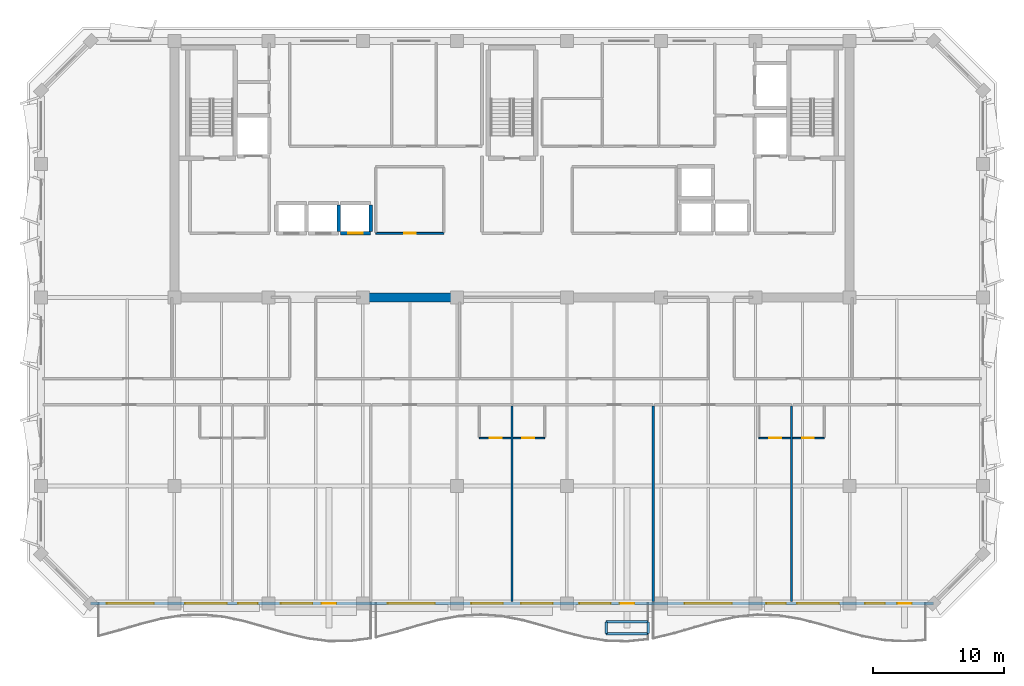
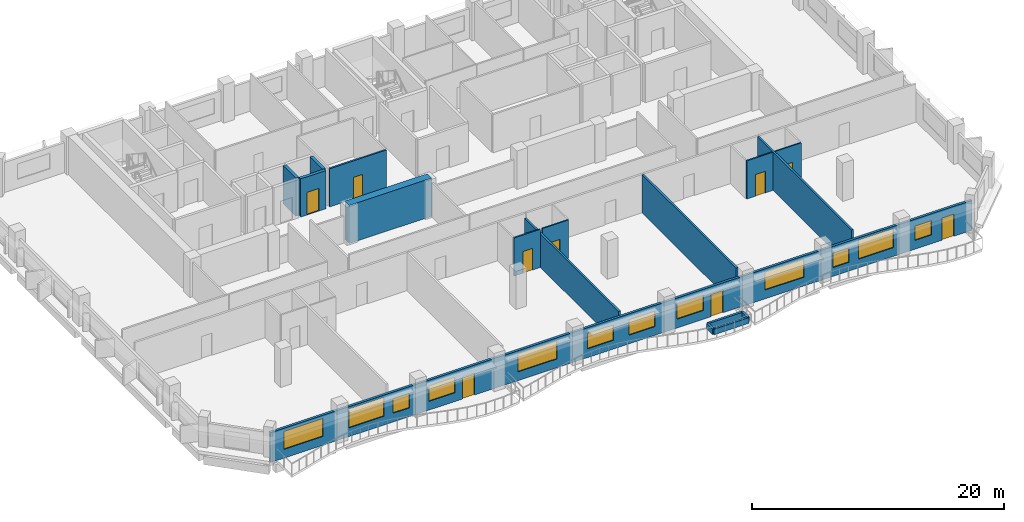
# One storey, part 4 of 11: 17 walls, 12 windows, 9 doors, 21 openings.
"""IFC4 building model written with IfcOpenShell, lengths in metres."""

from ifc_helpers import new_model, si_unit, direction, frame, frame_2d, origin, place, context, subcontext, project, spatial, rectangle, extrude, material, layer, layer_set, type_object, element, fill, save


model = new_model("IFC4")

# Units and contexts
model_context = context("Model", 3, precision=1e-05, world=origin(), true_north=direction((0.0, 1.0)))
body_context = subcontext(model_context, "Body", "Model", "MODEL_VIEW")
ifc_project = project(units=[si_unit("LENGTHUNIT", "METRE"), si_unit("AREAUNIT", "SQUARE_METRE"), si_unit("VOLUMEUNIT", "CUBIC_METRE"), si_unit("PLANEANGLEUNIT", "RADIAN"), si_unit("MASSUNIT", "GRAM", prefix="KILO")], contexts=[model_context])

# Site, building, storey
site_placement = place(None, origin())
site = spatial("IfcSite", under=ifc_project, at=site_placement, CompositionType="ELEMENT")
building_placement = place(site_placement, origin())
building = spatial("IfcBuilding", under=site, at=building_placement, Name="Kaelvorn Grand Hotel", CompositionType="ELEMENT")
storey_placement = place(building_placement, frame((0.0, 0.0, 256.800048828125)))
storey = spatial("IfcBuildingStorey", under=building, at=storey_placement, Name="L63", CompositionType="ELEMENT", Elevation=256.800048828125)

# Wall
ifc_material_1 = material(Name="Concrete C50/60", Category="concrete")
ifc_layer_1 = layer(ifc_material_1, 0.699951171875)
ifc_layer_set_1 = layer_set([ifc_layer_1], Name="Concrete C50/60")
wall_type_1 = type_object("IfcWallType", Name="WL-CORE-700-C50", PredefinedType="SHEAR", material=ifc_layer_set_1)
wall_1_placement = place(storey_placement, frame((30.39990234375, 29.39990234375, 0.0), z_axis=(0.0, 0.0, 1.0), x_axis=(1.0, 0.0, 0.0)))
element("IfcWall", 1, at=wall_1_placement, inside=storey, type_object=wall_type_1, Name="L63 Rear-Core Coupled Shear Pier S2", PredefinedType="SHEAR", context=body_context, shape_type="SweptSolid", body=[
    extrude(rectangle(XDim=7.60009765625, YDim=0.699951171875, at=frame_2d((3.800048828125, 0.0))), origin(), (0.0, 0.0, 1.0), 3.7099609375),
])

# Wall, openings, doors, windows
ifc_material_2 = material(Name="Concrete C40/50", Category="concrete")
ifc_layer_2 = layer(ifc_material_2, 0.219970703125)
ifc_layer_set_2 = layer_set([ifc_layer_2], Name="Concrete C40/50")
wall_type_2 = type_object("IfcWallType", Name="WL-EXT-220-C40", PredefinedType="SOLIDWALL", material=ifc_layer_set_2)
wall_2_placement = place(storey_placement, frame((9.800048828125, 6.0, 0.0), z_axis=(0.0, 0.0, 1.0), x_axis=(1.0, 0.0, 0.0)))
wall_2 = element("IfcWall", 2, at=wall_2_placement, inside=storey, type_object=wall_type_2, Name="L63 Exterior Architectural Concrete Wall 01", PredefinedType="SOLIDWALL", context=body_context, shape_type="SweptSolid", body=[
    extrude(rectangle(XDim=64.39990234375, YDim=0.219970703125, at=frame_2d((32.199951171875, 0.0))), origin(), (0.0, 0.0, 1.0), 2.909912109375),
])
opening_1_placement = place(wall_2_placement, frame((17.64990234375, 0.0, 0.0)))
opening_1 = element("IfcOpeningElement", 3, at=opening_1_placement, cuts=wall_2, Name="Opening DE2", PredefinedType="OPENING", context=body_context, shape_type="SweptSolid", body=[
    extrude(rectangle(XDim=1.10009765625, YDim=2.14990234375, at=frame_2d((0.550048828125, 1.074951171875))), frame((0.0, 0.1201171875, 0.0), z_axis=(0.0, -1.0, 0.0), x_axis=(1.0, 0.0, 0.0)), (0.0, 0.0, 1.0), 0.239990234375),
])
opening_2_placement = place(wall_2_placement, frame((40.449951171875, 0.0, 0.0)))
opening_2 = element("IfcOpeningElement", 4, at=opening_2_placement, cuts=wall_2, Name="Opening DE2", PredefinedType="OPENING", context=body_context, shape_type="SweptSolid", body=[
    extrude(rectangle(XDim=1.10009765625, YDim=2.14990234375, at=frame_2d((0.550048828125, 1.074951171875))), frame((0.0, 0.1201171875, 0.0), z_axis=(0.0, -1.0, 0.0), x_axis=(1.0, 0.0, 0.0)), (0.0, 0.0, 1.0), 0.239990234375),
])
opening_3_placement = place(wall_2_placement, frame((61.64990234375, 0.0, 0.0)))
opening_3 = element("IfcOpeningElement", 5, at=opening_3_placement, cuts=wall_2, Name="Opening DE2", PredefinedType="OPENING", context=body_context, shape_type="SweptSolid", body=[
    extrude(rectangle(XDim=1.10009765625, YDim=2.14990234375, at=frame_2d((0.550048828125, 1.074951171875))), frame((0.0, 0.1201171875, 0.0), z_axis=(0.0, -1.0, 0.0), x_axis=(1.0, 0.0, 0.0)), (0.0, 0.0, 1.0), 0.239990234375),
])
opening_4_placement = place(wall_2_placement, frame((1.235107421875, 0.0, 0.85009765625)))
opening_4 = element("IfcOpeningElement", 6, at=opening_4_placement, cuts=wall_2, Name="Opening W3", PredefinedType="OPENING", context=body_context, shape_type="SweptSolid", body=[
    extrude(rectangle(XDim=3.60009765625, YDim=1.75, at=frame_2d((1.800048828125, 0.875))), frame((0.0, 0.1201171875, 0.0), z_axis=(0.0, -1.0, 0.0), x_axis=(1.0, 0.0, 0.0)), (0.0, 0.0, 1.0), 0.239990234375),
])
opening_5_placement = place(wall_2_placement, frame((7.216552734375, 0.0, 0.85009765625)))
opening_5 = element("IfcOpeningElement", 7, at=opening_5_placement, cuts=wall_2, Name="Opening W4", PredefinedType="OPENING", context=body_context, shape_type="SweptSolid", body=[
    extrude(rectangle(XDim=3.199951171875, YDim=1.85009765625, at=frame_2d((1.60009765625, 0.925048828125))), frame((0.0, 0.1201171875, 0.0), z_axis=(0.0, -1.0, 0.0), x_axis=(1.0, 0.0, 0.0)), (0.0, 0.0, 1.0), 0.239990234375),
])
opening_6_placement = place(wall_2_placement, frame((11.2666015625, 0.0, 0.85009765625)))
opening_6 = element("IfcOpeningElement", 8, at=opening_6_placement, cuts=wall_2, Name="Opening W10", PredefinedType="OPENING", context=body_context, shape_type="SweptSolid", body=[
    extrude(rectangle(XDim=1.5, YDim=1.39990234375, at=frame_2d((0.75, 0.699951171875))), frame((0.0, 0.1201171875, 0.0), z_axis=(0.0, -1.0, 0.0), x_axis=(1.0, 0.0, 0.0)), (0.0, 0.0, 1.0), 0.239990234375),
])
opening_7_placement = place(wall_2_placement, frame((14.5400390625, 0.0, 0.85009765625)))
opening_7 = element("IfcOpeningElement", 9, at=opening_7_placement, cuts=wall_2, Name="Opening W6", PredefinedType="OPENING", context=body_context, shape_type="SweptSolid", body=[
    extrude(rectangle(XDim=2.39990234375, YDim=1.5, at=frame_2d((1.199951171875, 0.75))), frame((0.0, 0.1201171875, 0.0), z_axis=(0.0, -1.0, 0.0), x_axis=(1.0, 0.0, 0.0)), (0.0, 0.0, 1.0), 0.239990234375),
])
opening_8_placement = place(wall_2_placement, frame((22.70849609375, 0.0, 0.85009765625)))
opening_8 = element("IfcOpeningElement", 10, at=opening_8_placement, cuts=wall_2, Name="Opening W3", PredefinedType="OPENING", context=body_context, shape_type="SweptSolid", body=[
    extrude(rectangle(XDim=3.60009765625, YDim=1.75, at=frame_2d((1.800048828125, 0.875))), frame((0.0, 0.1201171875, 0.0), z_axis=(0.0, -1.0, 0.0), x_axis=(1.0, 0.0, 0.0)), (0.0, 0.0, 1.0), 0.239990234375),
])
opening_9_placement = place(wall_2_placement, frame((29.10009765625, 0.0, 0.85009765625)))
opening_9 = element("IfcOpeningElement", 11, at=opening_9_placement, cuts=wall_2, Name="Opening W6", PredefinedType="OPENING", context=body_context, shape_type="SweptSolid", body=[
    extrude(rectangle(XDim=2.39990234375, YDim=1.5, at=frame_2d((1.199951171875, 0.75))), frame((0.0, 0.1201171875, 0.0), z_axis=(0.0, -1.0, 0.0), x_axis=(1.0, 0.0, 0.0)), (0.0, 0.0, 1.0), 0.239990234375),
])
opening_10_placement = place(wall_2_placement, frame((32.89990234375, 0.0, 0.85009765625)))
opening_10 = element("IfcOpeningElement", 12, at=opening_10_placement, cuts=wall_2, Name="Opening W6", PredefinedType="OPENING", context=body_context, shape_type="SweptSolid", body=[
    extrude(rectangle(XDim=2.39990234375, YDim=1.5, at=frame_2d((1.199951171875, 0.75))), frame((0.0, 0.1201171875, 0.0), z_axis=(0.0, -1.0, 0.0), x_axis=(1.0, 0.0, 0.0)), (0.0, 0.0, 1.0), 0.239990234375),
])
opening_11_placement = place(wall_2_placement, frame((37.340087890625, 0.0, 0.85009765625)))
opening_11 = element("IfcOpeningElement", 13, at=opening_11_placement, cuts=wall_2, Name="Opening W6", PredefinedType="OPENING", context=body_context, shape_type="SweptSolid", body=[
    extrude(rectangle(XDim=2.39990234375, YDim=1.5, at=frame_2d((1.199951171875, 0.75))), frame((0.0, 0.1201171875, 0.0), z_axis=(0.0, -1.0, 0.0), x_axis=(1.0, 0.0, 0.0)), (0.0, 0.0, 1.0), 0.239990234375),
])
opening_12_placement = place(wall_2_placement, frame((45.39990234375, 0.0, 0.85009765625)))
opening_12 = element("IfcOpeningElement", 14, at=opening_12_placement, cuts=wall_2, Name="Opening W3", PredefinedType="OPENING", context=body_context, shape_type="SweptSolid", body=[
    extrude(rectangle(XDim=3.60009765625, YDim=1.75, at=frame_2d((1.800048828125, 0.875))), frame((0.0, 0.1201171875, 0.0), z_axis=(0.0, -1.0, 0.0), x_axis=(1.0, 0.0, 0.0)), (0.0, 0.0, 1.0), 0.239990234375),
])
opening_13_placement = place(wall_2_placement, frame((51.633544921875, 0.0, 0.85009765625)))
opening_13 = element("IfcOpeningElement", 15, at=opening_13_placement, cuts=wall_2, Name="Opening W10", PredefinedType="OPENING", context=body_context, shape_type="SweptSolid", body=[
    extrude(rectangle(XDim=1.5, YDim=1.39990234375, at=frame_2d((0.75, 0.699951171875))), frame((0.0, 0.1201171875, 0.0), z_axis=(0.0, -1.0, 0.0), x_axis=(1.0, 0.0, 0.0)), (0.0, 0.0, 1.0), 0.239990234375),
])
opening_14_placement = place(wall_2_placement, frame((53.9833984375, 0.0, 0.85009765625)))
opening_14 = element("IfcOpeningElement", 16, at=opening_14_placement, cuts=wall_2, Name="Opening W4", PredefinedType="OPENING", context=body_context, shape_type="SweptSolid", body=[
    extrude(rectangle(XDim=3.199951171875, YDim=1.85009765625, at=frame_2d((1.60009765625, 0.925048828125))), frame((0.0, 0.1201171875, 0.0), z_axis=(0.0, -1.0, 0.0), x_axis=(1.0, 0.0, 0.0)), (0.0, 0.0, 1.0), 0.239990234375),
])
opening_15_placement = place(wall_2_placement, frame((59.18994140625, 0.0, 0.85009765625)))
opening_15 = element("IfcOpeningElement", 17, at=opening_15_placement, cuts=wall_2, Name="Opening W10", PredefinedType="OPENING", context=body_context, shape_type="SweptSolid", body=[
    extrude(rectangle(XDim=1.5, YDim=1.39990234375, at=frame_2d((0.75, 0.699951171875))), frame((0.0, 0.1201171875, 0.0), z_axis=(0.0, -1.0, 0.0), x_axis=(1.0, 0.0, 0.0)), (0.0, 0.0, 1.0), 0.239990234375),
])
ifc_material_3 = material(Name="Anodised Aluminium", Category="aluminium")
door_type_1 = type_object("IfcDoorType", Name="DR-EXT-BALC-1100x2150", OperationType="NOTDEFINED", PredefinedType="DOOR", material=ifc_material_3)
door_1_placement = place(opening_1_placement, origin())
door_1 = element("IfcDoor", 18, at=door_1_placement, inside=storey, type_object=door_type_1, Name="L63 Scalloped Balcony Glazed Door DE2-1", OperationType="SINGLE_SWING_RIGHT", OverallHeight=2.14990234375, OverallWidth=1.10009765625, PredefinedType="DOOR", context=body_context, shape_type="SweptSolid", body=[
    extrude(rectangle(XDim=1.10009765625, YDim=2.14990234375, at=frame_2d((0.550048828125, 1.074951171875))), frame((0.0, 0.02490234375, 0.0), z_axis=(0.0, -1.0, 0.0), x_axis=(1.0, 0.0, 0.0)), (0.0, 0.0, 1.0), 0.050048828125),
])
fill(opening_1, door_1)
door_2_placement = place(opening_2_placement, origin())
door_2 = element("IfcDoor", 19, at=door_2_placement, inside=storey, type_object=door_type_1, Name="L63 Scalloped Balcony Glazed Door DE2-2", OperationType="SINGLE_SWING_LEFT", OverallHeight=2.14990234375, OverallWidth=1.10009765625, PredefinedType="DOOR", context=body_context, shape_type="SweptSolid", body=[
    extrude(rectangle(XDim=1.10009765625, YDim=2.14990234375, at=frame_2d((0.550048828125, 1.074951171875))), frame((0.0, 0.02490234375, 0.0), z_axis=(0.0, -1.0, 0.0), x_axis=(1.0, 0.0, 0.0)), (0.0, 0.0, 1.0), 0.050048828125),
])
fill(opening_2, door_2)
door_3_placement = place(opening_3_placement, origin())
door_3 = element("IfcDoor", 20, at=door_3_placement, inside=storey, type_object=door_type_1, Name="L63 Scalloped Balcony Glazed Door DE2-3", OperationType="SINGLE_SWING_RIGHT", OverallHeight=2.14990234375, OverallWidth=1.10009765625, PredefinedType="DOOR", context=body_context, shape_type="SweptSolid", body=[
    extrude(rectangle(XDim=1.10009765625, YDim=2.14990234375, at=frame_2d((0.550048828125, 1.074951171875))), frame((0.0, 0.02490234375, 0.0), z_axis=(0.0, -1.0, 0.0), x_axis=(1.0, 0.0, 0.0)), (0.0, 0.0, 1.0), 0.050048828125),
])
fill(opening_3, door_3)
ifc_material_4 = material(Name="Laminated Low-E Glass", Category="glass")
window_type_1 = type_object("IfcWindowType", Name="WIN-COR-1500x1400", PartitioningType="SINGLE_PANEL", PredefinedType="WINDOW", material=ifc_material_4)
window_1_placement = place(opening_6_placement, origin())
window_1 = element("IfcWindow", 21, at=window_1_placement, inside=storey, type_object=window_type_1, Name="L63 South Guestroom Ribbon Window SR03", OverallHeight=1.39990234375, OverallWidth=1.5, PartitioningType="SINGLE_PANEL", PredefinedType="WINDOW", context=body_context, shape_type="SweptSolid", body=[
    extrude(rectangle(XDim=1.5, YDim=1.39990234375, at=frame_2d((0.75, 0.699951171875))), frame((0.0, 0.030029296875, 0.0), z_axis=(0.0, -1.0, 0.0), x_axis=(1.0, 0.0, 0.0)), (0.0, 0.0, 1.0), 0.06005859375),
])
fill(opening_6, window_1)
window_2_placement = place(opening_13_placement, origin())
window_2 = element("IfcWindow", 22, at=window_2_placement, inside=storey, type_object=window_type_1, Name="L63 South Guestroom Ribbon Window SR10", OverallHeight=1.39990234375, OverallWidth=1.5, PartitioningType="SINGLE_PANEL", PredefinedType="WINDOW", context=body_context, shape_type="SweptSolid", body=[
    extrude(rectangle(XDim=1.5, YDim=1.39990234375, at=frame_2d((0.75, 0.699951171875))), frame((0.0, 0.030029296875, 0.0), z_axis=(0.0, -1.0, 0.0), x_axis=(1.0, 0.0, 0.0)), (0.0, 0.0, 1.0), 0.06005859375),
])
fill(opening_13, window_2)
window_3_placement = place(opening_15_placement, origin())
window_3 = element("IfcWindow", 23, at=window_3_placement, inside=storey, type_object=window_type_1, Name="L63 South Guestroom Ribbon Window SR12", OverallHeight=1.39990234375, OverallWidth=1.5, PartitioningType="SINGLE_PANEL", PredefinedType="WINDOW", context=body_context, shape_type="SweptSolid", body=[
    extrude(rectangle(XDim=1.5, YDim=1.39990234375, at=frame_2d((0.75, 0.699951171875))), frame((0.0, 0.030029296875, 0.0), z_axis=(0.0, -1.0, 0.0), x_axis=(1.0, 0.0, 0.0)), (0.0, 0.0, 1.0), 0.06005859375),
])
fill(opening_15, window_3)
window_type_2 = type_object("IfcWindowType", Name="WIN-NTH-2400x1500", PartitioningType="SINGLE_PANEL", PredefinedType="WINDOW", material=ifc_material_4)
window_4_placement = place(opening_7_placement, origin())
window_4 = element("IfcWindow", 24, at=window_4_placement, inside=storey, type_object=window_type_2, Name="L63 South Guestroom Ribbon Window SR04", OverallHeight=1.5, OverallWidth=2.39990234375, PartitioningType="SINGLE_PANEL", PredefinedType="WINDOW", context=body_context, shape_type="SweptSolid", body=[
    extrude(rectangle(XDim=2.39990234375, YDim=1.5, at=frame_2d((1.199951171875, 0.75))), frame((0.0, 0.030029296875, 0.0), z_axis=(0.0, -1.0, 0.0), x_axis=(1.0, 0.0, 0.0)), (0.0, 0.0, 1.0), 0.06005859375),
])
fill(opening_7, window_4)
window_5_placement = place(opening_9_placement, origin())
window_5 = element("IfcWindow", 25, at=window_5_placement, inside=storey, type_object=window_type_2, Name="L63 South Guestroom Ribbon Window SR06", OverallHeight=1.5, OverallWidth=2.39990234375, PartitioningType="SINGLE_PANEL", PredefinedType="WINDOW", context=body_context, shape_type="SweptSolid", body=[
    extrude(rectangle(XDim=2.39990234375, YDim=1.5, at=frame_2d((1.199951171875, 0.75))), frame((0.0, 0.030029296875, 0.0), z_axis=(0.0, -1.0, 0.0), x_axis=(1.0, 0.0, 0.0)), (0.0, 0.0, 1.0), 0.06005859375),
])
fill(opening_9, window_5)
window_6_placement = place(opening_10_placement, origin())
window_6 = element("IfcWindow", 26, at=window_6_placement, inside=storey, type_object=window_type_2, Name="L63 South Guestroom Ribbon Window SR07", OverallHeight=1.5, OverallWidth=2.39990234375, PartitioningType="SINGLE_PANEL", PredefinedType="WINDOW", context=body_context, shape_type="SweptSolid", body=[
    extrude(rectangle(XDim=2.39990234375, YDim=1.5, at=frame_2d((1.199951171875, 0.75))), frame((0.0, 0.030029296875, 0.0), z_axis=(0.0, -1.0, 0.0), x_axis=(1.0, 0.0, 0.0)), (0.0, 0.0, 1.0), 0.06005859375),
])
fill(opening_10, window_6)
window_7_placement = place(opening_11_placement, origin())
window_7 = element("IfcWindow", 27, at=window_7_placement, inside=storey, type_object=window_type_2, Name="L63 South Guestroom Ribbon Window SR08", OverallHeight=1.5, OverallWidth=2.39990234375, PartitioningType="SINGLE_PANEL", PredefinedType="WINDOW", context=body_context, shape_type="SweptSolid", body=[
    extrude(rectangle(XDim=2.39990234375, YDim=1.5, at=frame_2d((1.199951171875, 0.75))), frame((0.0, 0.030029296875, 0.0), z_axis=(0.0, -1.0, 0.0), x_axis=(1.0, 0.0, 0.0)), (0.0, 0.0, 1.0), 0.06005859375),
])
fill(opening_11, window_7)
window_type_3 = type_object("IfcWindowType", Name="WIN-RIB-3200x1850", PartitioningType="SINGLE_PANEL", PredefinedType="WINDOW", material=ifc_material_4)
window_8_placement = place(opening_5_placement, origin())
window_8 = element("IfcWindow", 28, at=window_8_placement, inside=storey, type_object=window_type_3, Name="L63 South Guestroom Ribbon Window SR02", OverallHeight=1.85009765625, OverallWidth=3.199951171875, PartitioningType="SINGLE_PANEL", PredefinedType="WINDOW", context=body_context, shape_type="SweptSolid", body=[
    extrude(rectangle(XDim=3.199951171875, YDim=1.85009765625, at=frame_2d((1.60009765625, 0.925048828125))), frame((0.0, 0.030029296875, 0.0), z_axis=(0.0, -1.0, 0.0), x_axis=(1.0, 0.0, 0.0)), (0.0, 0.0, 1.0), 0.06005859375),
])
fill(opening_5, window_8)
window_9_placement = place(opening_14_placement, origin())
window_9 = element("IfcWindow", 29, at=window_9_placement, inside=storey, type_object=window_type_3, Name="L63 South Guestroom Ribbon Window SR11", OverallHeight=1.85009765625, OverallWidth=3.199951171875, PartitioningType="SINGLE_PANEL", PredefinedType="WINDOW", context=body_context, shape_type="SweptSolid", body=[
    extrude(rectangle(XDim=3.199951171875, YDim=1.85009765625, at=frame_2d((1.60009765625, 0.925048828125))), frame((0.0, 0.030029296875, 0.0), z_axis=(0.0, -1.0, 0.0), x_axis=(1.0, 0.0, 0.0)), (0.0, 0.0, 1.0), 0.06005859375),
])
fill(opening_14, window_9)
window_type_4 = type_object("IfcWindowType", Name="WIN-RIB-3600x1750", PartitioningType="SINGLE_PANEL", PredefinedType="WINDOW", material=ifc_material_4)
window_10_placement = place(opening_4_placement, origin())
window_10 = element("IfcWindow", 30, at=window_10_placement, inside=storey, type_object=window_type_4, Name="L63 South Guestroom Ribbon Window SR01", OverallHeight=1.75, OverallWidth=3.60009765625, PartitioningType="SINGLE_PANEL", PredefinedType="WINDOW", context=body_context, shape_type="SweptSolid", body=[
    extrude(rectangle(XDim=3.60009765625, YDim=1.75, at=frame_2d((1.800048828125, 0.875))), frame((0.0, 0.030029296875, 0.0), z_axis=(0.0, -1.0, 0.0), x_axis=(1.0, 0.0, 0.0)), (0.0, 0.0, 1.0), 0.06005859375),
])
fill(opening_4, window_10)
window_11_placement = place(opening_8_placement, origin())
window_11 = element("IfcWindow", 31, at=window_11_placement, inside=storey, type_object=window_type_4, Name="L63 South Guestroom Ribbon Window SR05", OverallHeight=1.75, OverallWidth=3.60009765625, PartitioningType="SINGLE_PANEL", PredefinedType="WINDOW", context=body_context, shape_type="SweptSolid", body=[
    extrude(rectangle(XDim=3.60009765625, YDim=1.75, at=frame_2d((1.800048828125, 0.875))), frame((0.0, 0.030029296875, 0.0), z_axis=(0.0, -1.0, 0.0), x_axis=(1.0, 0.0, 0.0)), (0.0, 0.0, 1.0), 0.06005859375),
])
fill(opening_8, window_11)
window_12_placement = place(opening_12_placement, origin())
window_12 = element("IfcWindow", 32, at=window_12_placement, inside=storey, type_object=window_type_4, Name="L63 South Guestroom Ribbon Window SR09", OverallHeight=1.75, OverallWidth=3.60009765625, PartitioningType="SINGLE_PANEL", PredefinedType="WINDOW", context=body_context, shape_type="SweptSolid", body=[
    extrude(rectangle(XDim=3.60009765625, YDim=1.75, at=frame_2d((1.800048828125, 0.875))), frame((0.0, 0.030029296875, 0.0), z_axis=(0.0, -1.0, 0.0), x_axis=(1.0, 0.0, 0.0)), (0.0, 0.0, 1.0), 0.06005859375),
])
fill(opening_12, window_12)

# Wall, opening, door
ifc_material_5 = material(Name="Moisture-Resistant Tile & Stud Board")
ifc_layer_3 = layer(ifc_material_5, 0.125)
ifc_layer_set_3 = layer_set([ifc_layer_3], Name="Moisture-Resistant Tile & Stud Board")
wall_type_3 = type_object("IfcWallType", Name="WL-PART-125-WET", PredefinedType="PARTITIONING", material=ifc_layer_set_3)
wall_3_placement = place(storey_placement, frame((39.5, 18.64990234375, 0.0), z_axis=(0.0, 0.0, 1.0), x_axis=(1.0, 0.0, 0.0)))
wall_3 = element("IfcWall", 33, at=wall_3_placement, inside=storey, type_object=wall_type_3, Name="L63 En-suite Bathroom L63-03 S Partition", PredefinedType="PARTITIONING", context=body_context, shape_type="SweptSolid", body=[
    extrude(rectangle(XDim=2.405029296875, YDim=0.125, at=frame_2d((1.20263671875, 0.0))), origin(), (0.0, 0.0, 1.0), 3.7099609375),
])
opening_16_placement = place(wall_3_placement, frame((0.800048828125, 0.0, 0.0)))
opening_16 = element("IfcOpeningElement", 34, at=opening_16_placement, cuts=wall_3, Name="Opening DI4", PredefinedType="OPENING", context=body_context, shape_type="SweptSolid", body=[
    extrude(rectangle(XDim=0.89990234375, YDim=2.10009765625, at=frame_2d((0.449951171875, 1.050048828125))), frame((0.0, 0.072509765625, 0.0), z_axis=(0.0, -1.0, 0.0), x_axis=(1.0, 0.0, 0.0)), (0.0, 0.0, 1.0), 0.14501953125),
])
ifc_material_6 = material(Name="Timber Veneer Leaf", Category="wood")
door_type_2 = type_object("IfcDoorType", Name="DR-INT-BATH-900x2100", OperationType="NOTDEFINED", PredefinedType="DOOR", material=ifc_material_6)
door_4_placement = place(opening_16_placement, origin())
door_4 = element("IfcDoor", 35, at=door_4_placement, inside=storey, type_object=door_type_2, Name="L63 En-suite Bathroom L63-03 Door", OperationType="SINGLE_SWING_LEFT", OverallHeight=2.10009765625, OverallWidth=0.89990234375, PredefinedType="DOOR", context=body_context, shape_type="SweptSolid", body=[
    extrude(rectangle(XDim=0.89990234375, YDim=2.10009765625, at=frame_2d((0.449951171875, 1.050048828125))), frame((0.0, 0.02490234375, 0.0), z_axis=(0.0, -1.0, 0.0), x_axis=(1.0, 0.0, 0.0)), (0.0, 0.0, 1.0), 0.050048828125),
])
fill(opening_16, door_4)

wall_4_placement = place(storey_placement, frame((42.094970703125, 18.64990234375, 0.0), z_axis=(0.0, 0.0, 1.0), x_axis=(1.0, 0.0, 0.0)))
wall_4 = element("IfcWall", 36, at=wall_4_placement, inside=storey, type_object=wall_type_3, Name="L63 En-suite Bathroom L63-04 S Partition", PredefinedType="PARTITIONING", context=body_context, shape_type="SweptSolid", body=[
    extrude(rectangle(XDim=2.405029296875, YDim=0.125, at=frame_2d((1.20263671875, 0.0))), origin(), (0.0, 0.0, 1.0), 3.7099609375),
])
opening_17_placement = place(wall_4_placement, frame((0.705078125, 0.0, 0.0)))
opening_17 = element("IfcOpeningElement", 37, at=opening_17_placement, cuts=wall_4, Name="Opening DI4", PredefinedType="OPENING", context=body_context, shape_type="SweptSolid", body=[
    extrude(rectangle(XDim=0.89990234375, YDim=2.10009765625, at=frame_2d((0.449951171875, 1.050048828125))), frame((0.0, 0.072509765625, 0.0), z_axis=(0.0, -1.0, 0.0), x_axis=(1.0, 0.0, 0.0)), (0.0, 0.0, 1.0), 0.14501953125),
])
door_5_placement = place(opening_17_placement, origin())
door_5 = element("IfcDoor", 38, at=door_5_placement, inside=storey, type_object=door_type_2, Name="L63 En-suite Bathroom L63-04 Door", OperationType="SINGLE_SWING_LEFT", OverallHeight=2.10009765625, OverallWidth=0.89990234375, PredefinedType="DOOR", context=body_context, shape_type="SweptSolid", body=[
    extrude(rectangle(XDim=0.89990234375, YDim=2.10009765625, at=frame_2d((0.449951171875, 1.050048828125))), frame((0.0, 0.02490234375, 0.0), z_axis=(0.0, -1.0, 0.0), x_axis=(1.0, 0.0, 0.0)), (0.0, 0.0, 1.0), 0.050048828125),
])
fill(opening_17, door_5)

wall_5_placement = place(storey_placement, frame((60.86669921875, 18.64990234375, 0.0), z_axis=(0.0, 0.0, 1.0), x_axis=(1.0, 0.0, 0.0)))
wall_5 = element("IfcWall", 39, at=wall_5_placement, inside=storey, type_object=wall_type_3, Name="L63 En-suite Bathroom L63-05 S Partition", PredefinedType="PARTITIONING", context=body_context, shape_type="SweptSolid", body=[
    extrude(rectangle(XDim=2.40478515625, YDim=0.125, at=frame_2d((1.202392578125, 0.0))), origin(), (0.0, 0.0, 1.0), 3.7099609375),
])
opening_18_placement = place(wall_5_placement, frame((0.800048828125, 0.0, 0.0)))
opening_18 = element("IfcOpeningElement", 40, at=opening_18_placement, cuts=wall_5, Name="Opening DI4", PredefinedType="OPENING", context=body_context, shape_type="SweptSolid", body=[
    extrude(rectangle(XDim=0.89990234375, YDim=2.10009765625, at=frame_2d((0.449951171875, 1.050048828125))), frame((0.0, 0.072509765625, 0.0), z_axis=(0.0, -1.0, 0.0), x_axis=(1.0, 0.0, 0.0)), (0.0, 0.0, 1.0), 0.14501953125),
])
door_6_placement = place(opening_18_placement, origin())
door_6 = element("IfcDoor", 41, at=door_6_placement, inside=storey, type_object=door_type_2, Name="L63 En-suite Bathroom L63-05 Door", OperationType="SINGLE_SWING_LEFT", OverallHeight=2.10009765625, OverallWidth=0.89990234375, PredefinedType="DOOR", context=body_context, shape_type="SweptSolid", body=[
    extrude(rectangle(XDim=0.89990234375, YDim=2.10009765625, at=frame_2d((0.449951171875, 1.050048828125))), frame((0.0, 0.02490234375, 0.0), z_axis=(0.0, -1.0, 0.0), x_axis=(1.0, 0.0, 0.0)), (0.0, 0.0, 1.0), 0.050048828125),
])
fill(opening_18, door_6)

wall_6_placement = place(storey_placement, frame((63.461669921875, 18.64990234375, 0.0), z_axis=(0.0, 0.0, 1.0), x_axis=(1.0, 0.0, 0.0)))
wall_6 = element("IfcWall", 42, at=wall_6_placement, inside=storey, type_object=wall_type_3, Name="L63 En-suite Bathroom L63-06 S Partition", PredefinedType="PARTITIONING", context=body_context, shape_type="SweptSolid", body=[
    extrude(rectangle(XDim=2.405029296875, YDim=0.125, at=frame_2d((1.20263671875, 0.0))), origin(), (0.0, 0.0, 1.0), 3.7099609375),
])
opening_19_placement = place(wall_6_placement, frame((0.705078125, 0.0, 0.0)))
opening_19 = element("IfcOpeningElement", 43, at=opening_19_placement, cuts=wall_6, Name="Opening DI4", PredefinedType="OPENING", context=body_context, shape_type="SweptSolid", body=[
    extrude(rectangle(XDim=0.89990234375, YDim=2.10009765625, at=frame_2d((0.449951171875, 1.050048828125))), frame((0.0, 0.072509765625, 0.0), z_axis=(0.0, -1.0, 0.0), x_axis=(1.0, 0.0, 0.0)), (0.0, 0.0, 1.0), 0.14501953125),
])
door_7_placement = place(opening_19_placement, origin())
door_7 = element("IfcDoor", 44, at=door_7_placement, inside=storey, type_object=door_type_2, Name="L63 En-suite Bathroom L63-06 Door", OperationType="SINGLE_SWING_LEFT", OverallHeight=2.10009765625, OverallWidth=0.89990234375, PredefinedType="DOOR", context=body_context, shape_type="SweptSolid", body=[
    extrude(rectangle(XDim=0.89990234375, YDim=2.10009765625, at=frame_2d((0.449951171875, 1.050048828125))), frame((0.0, 0.02490234375, 0.0), z_axis=(0.0, -1.0, 0.0), x_axis=(1.0, 0.0, 0.0)), (0.0, 0.0, 1.0), 0.050048828125),
])
fill(opening_19, door_7)

ifc_material_7 = material(Name="Acoustic Gypsum & Stud Partition")
ifc_layer_4 = layer(ifc_material_7, 0.14990234375)
ifc_layer_set_4 = layer_set([ifc_layer_4], Name="Acoustic Gypsum & Stud Partition")
wall_type_4 = type_object("IfcWallType", Name="WL-PART-150-EI60", PredefinedType="PARTITIONING", material=ifc_layer_set_4)
wall_7_placement = place(storey_placement, frame((31.60009765625, 34.300048828125, 0.0), z_axis=(0.0, 0.0, 1.0), x_axis=(1.0, 0.0, 0.0)))
wall_7 = element("IfcWall", 45, at=wall_7_placement, inside=storey, type_object=wall_type_4, Name="L63 Core Telecoms & BMS Server Room S Partition", PredefinedType="PARTITIONING", context=body_context, shape_type="SweptSolid", body=[
    extrude(rectangle(XDim=5.199951171875, YDim=0.14990234375, at=frame_2d((2.60009765625, 0.0))), origin(), (0.0, 0.0, 1.0), 3.7099609375),
])
opening_20_placement = place(wall_7_placement, frame((2.175048828125, 0.0, 0.0)))
opening_20 = element("IfcOpeningElement", 46, at=opening_20_placement, cuts=wall_7, Name="Opening DI7", PredefinedType="OPENING", context=body_context, shape_type="SweptSolid", body=[
    extrude(rectangle(XDim=0.85009765625, YDim=2.10009765625, at=frame_2d((0.425048828125, 1.050048828125))), frame((0.0, 0.0849609375, 0.0), z_axis=(0.0, -1.0, 0.0), x_axis=(1.0, 0.0, 0.0)), (0.0, 0.0, 1.0), 0.169921875),
])
ifc_material_8 = material(Name="Powder-Coated Steel Leaf", Category="steel")
door_type_3 = type_object("IfcDoorType", Name="DR-INT-RISER-850x2100", OperationType="NOTDEFINED", PredefinedType="DOOR", material=ifc_material_8)
door_8_placement = place(opening_20_placement, origin())
door_8 = element("IfcDoor", 47, at=door_8_placement, inside=storey, type_object=door_type_3, Name="L63 Core Telecoms & BMS Server Room Door", OperationType="SINGLE_SWING_RIGHT", OverallHeight=2.10009765625, OverallWidth=0.85009765625, PredefinedType="DOOR", context=body_context, shape_type="SweptSolid", body=[
    extrude(rectangle(XDim=0.85009765625, YDim=2.10009765625, at=frame_2d((0.425048828125, 1.050048828125))), frame((0.0, 0.02490234375, 0.0), z_axis=(0.0, -1.0, 0.0), x_axis=(1.0, 0.0, 0.0)), (0.0, 0.0, 1.0), 0.050048828125),
])
fill(opening_20, door_8)

# Walls
ifc_layer_5 = layer(ifc_material_7, 0.179931640625)
ifc_layer_set_5 = layer_set([ifc_layer_5], Name="Acoustic Gypsum & Stud Partition")
wall_type_5 = type_object("IfcWallType", Name="WL-PART-180-EI60", PredefinedType="PARTITIONING", material=ifc_layer_set_5)
wall_8_placement = place(storey_placement, frame((42.0, 6.14990234375, 0.0), z_axis=(0.0, 0.0, 1.0), x_axis=(0.0, 1.0, 0.0)))
element("IfcWall", 48, at=wall_8_placement, inside=storey, type_object=wall_type_5, Name="L63 Ambassador Junior Suite L63-03 E Partition", PredefinedType="PARTITIONING", context=body_context, shape_type="SweptSolid", body=[
    extrude(rectangle(XDim=14.955078125, YDim=0.179931640625, at=frame_2d((7.4775390625, 0.0))), origin(), (0.0, 0.0, 1.0), 3.260009765625),
])
for number, where, z_axis, x_axis, name in (
    (49, (52.783203125, 6.14990234375, 0.0), (0.0, 0.0, 1.0), (0.0, 1.0, 0.0), "L63 Ambassador Junior Suite L63-04 E Partition"),
    (50, (63.36669921875, 6.14990234375, 0.0), (0.0, 0.0, 1.0), (0.0, 1.0, 0.0), "L63 Ambassador Junior Suite L63-05 E Partition"),
):
    element("IfcWall", number, at=place(storey_placement, frame(where, z_axis=z_axis, x_axis=x_axis)), inside=storey, type_object=wall_type_5, Name=name, PredefinedType="PARTITIONING", context=body_context, shape_type="SweptSolid", body=[
        extrude(rectangle(XDim=14.955078125, YDim=0.179931640625, at=frame_2d((7.4775390625, 0.0))), origin(), (0.0, 0.0, 1.0), 3.7099609375),
    ])
ifc_layer_6 = layer(ifc_material_1, 0.280029296875)
ifc_layer_set_6 = layer_set([ifc_layer_6], Name="Concrete C50/60")
wall_type_6 = type_object("IfcWallType", Name="WL-SHAFT-280-C50", PredefinedType="SHEAR", material=ifc_layer_set_6)
wall_9_placement = place(storey_placement, frame((28.75, 34.445068359375, 0.0), z_axis=(0.0, 0.0, 1.0), x_axis=(0.0, 1.0, 0.0)))
element("IfcWall", 51, at=wall_9_placement, inside=storey, type_object=wall_type_6, Name="L63 Lift PL-H2 Shaft East Wall", PredefinedType="SHEAR", context=body_context, shape_type="SweptSolid", body=[
    extrude(rectangle(XDim=2.010009765625, YDim=0.280029296875, at=frame_2d((1.0048828125, 0.0))), origin(), (0.0, 0.0, 1.0), 3.7099609375),
])

# Wall, opening, door
wall_10_placement = place(storey_placement, frame((28.89990234375, 34.300048828125, 0.0), z_axis=(0.0, 0.0, 1.0), x_axis=(1.0, 0.0, 0.0)))
wall_10 = element("IfcWall", 52, at=wall_10_placement, inside=storey, type_object=wall_type_6, Name="L63 Lift PL-H3 Shaft South Wall", PredefinedType="SHEAR", context=body_context, shape_type="SweptSolid", body=[
    extrude(rectangle(XDim=2.300048828125, YDim=0.280029296875, at=frame_2d((1.14990234375, 0.0))), origin(), (0.0, 0.0, 1.0), 3.7099609375),
])
opening_21_placement = place(wall_10_placement, frame((0.60009765625, 0.0, 0.0)))
opening_21 = element("IfcOpeningElement", 53, at=opening_21_placement, cuts=wall_10, Name="Opening LD-PL-H3", PredefinedType="OPENING", context=body_context, shape_type="SweptSolid", body=[
    extrude(rectangle(XDim=1.10009765625, YDim=2.199951171875, at=frame_2d((0.550048828125, 1.10009765625))), frame((0.0, 0.14990234375, 0.0), z_axis=(0.0, -1.0, 0.0), x_axis=(1.0, 0.0, 0.0)), (0.0, 0.0, 1.0), 0.300048828125),
])
ifc_material_9 = material(Name="Stainless Steel", Category="steel")
door_type_4 = type_object("IfcDoorType", Name="DR-LIFT-PASS-1100x2200", OperationType="DOUBLE_DOOR_SLIDING", PredefinedType="DOOR", material=ifc_material_9)
door_9_placement = place(opening_21_placement, origin())
door_9 = element("IfcDoor", 54, at=door_9_placement, inside=storey, type_object=door_type_4, Name="L63 Lift PL-H3 Sliding Landing Door LD-PL-H3", OperationType="DOUBLE_DOOR_SLIDING", OverallHeight=2.199951171875, OverallWidth=1.10009765625, PredefinedType="DOOR", context=body_context, shape_type="SweptSolid", body=[
    extrude(rectangle(XDim=1.10009765625, YDim=2.199951171875, at=frame_2d((0.550048828125, 1.10009765625))), frame((0.0, 0.02490234375, 0.0), z_axis=(0.0, -1.0, 0.0), x_axis=(1.0, 0.0, 0.0)), (0.0, 0.0, 1.0), 0.050048828125),
])
fill(opening_21, door_9)

# Walls
wall_11_placement = place(storey_placement, frame((31.199951171875, 34.445068359375, 0.0), z_axis=(0.0, 0.0, 1.0), x_axis=(0.0, 1.0, 0.0)))
element("IfcWall", 55, at=wall_11_placement, inside=storey, type_object=wall_type_6, Name="L63 Lift PL-H3 Shaft East Wall", PredefinedType="SHEAR", context=body_context, shape_type="SweptSolid", body=[
    extrude(rectangle(XDim=2.010009765625, YDim=0.280029296875, at=frame_2d((1.0048828125, 0.0))), origin(), (0.0, 0.0, 1.0), 3.7099609375),
])
ifc_layer_7 = layer(ifc_material_2, 0.199951171875)
ifc_layer_set_7 = layer_set([ifc_layer_7], Name="Concrete C40/50")
wall_type_7 = type_object("IfcWallType", Name="WL-TREE-PLANTER-200", PredefinedType="PARAPET", material=ifc_layer_set_7)
wall_12_placement = place(storey_placement, frame((49.199951171875, 3.699951171875, 0.0), z_axis=(0.0, 0.0, 1.0), x_axis=(1.0, 0.0, 0.0)))
element("IfcWall", 56, at=wall_12_placement, inside=storey, type_object=wall_type_7, Name="L63 Planted Balcony Structural TREE PLANTER Kerb 1-S", PredefinedType="PARAPET", context=body_context, shape_type="SweptSolid", body=[
    extrude(rectangle(XDim=3.199951171875, YDim=0.199951171875, at=frame_2d((1.60009765625, 0.0))), origin(), (0.0, 0.0, 1.0), 0.550048828125),
])
wall_13_placement = place(storey_placement, frame((52.39990234375, 3.699951171875, 0.0), z_axis=(0.0, 0.0, 1.0), x_axis=(0.0, 1.0, 0.0)))
element("IfcWall", 57, at=wall_13_placement, inside=storey, type_object=wall_type_7, Name="L63 Planted Balcony Structural TREE PLANTER Kerb 1-E", PredefinedType="PARAPET", context=body_context, shape_type="SweptSolid", body=[
    extrude(rectangle(XDim=0.900146484375, YDim=0.199951171875, at=frame_2d((0.4501953125, 0.0))), origin(), (0.0, 0.0, 1.0), 0.550048828125),
])
wall_14_placement = place(storey_placement, frame((52.39990234375, 4.60009765625, 0.0), z_axis=(0.0, 0.0, 1.0), x_axis=(-1.0, 0.0, 0.0)))
element("IfcWall", 58, at=wall_14_placement, inside=storey, type_object=wall_type_7, Name="L63 Planted Balcony Structural TREE PLANTER Kerb 1-N", PredefinedType="PARAPET", context=body_context, shape_type="SweptSolid", body=[
    extrude(rectangle(XDim=3.199951171875, YDim=0.199951171875, at=frame_2d((1.60009765625, 0.0))), origin(), (0.0, 0.0, 1.0), 0.550048828125),
])
wall_15_placement = place(storey_placement, frame((49.199951171875, 4.60009765625, 0.0), z_axis=(0.0, 0.0, 1.0), x_axis=(0.0, -1.0, 0.0)))
element("IfcWall", 59, at=wall_15_placement, inside=storey, type_object=wall_type_7, Name="L63 Planted Balcony Structural TREE PLANTER Kerb 1-W", PredefinedType="PARAPET", context=body_context, shape_type="SweptSolid", body=[
    extrude(rectangle(XDim=0.900146484375, YDim=0.199951171875, at=frame_2d((0.4501953125, 0.0))), origin(), (0.0, 0.0, 1.0), 0.550048828125),
])

save(model, "model.ifc")
